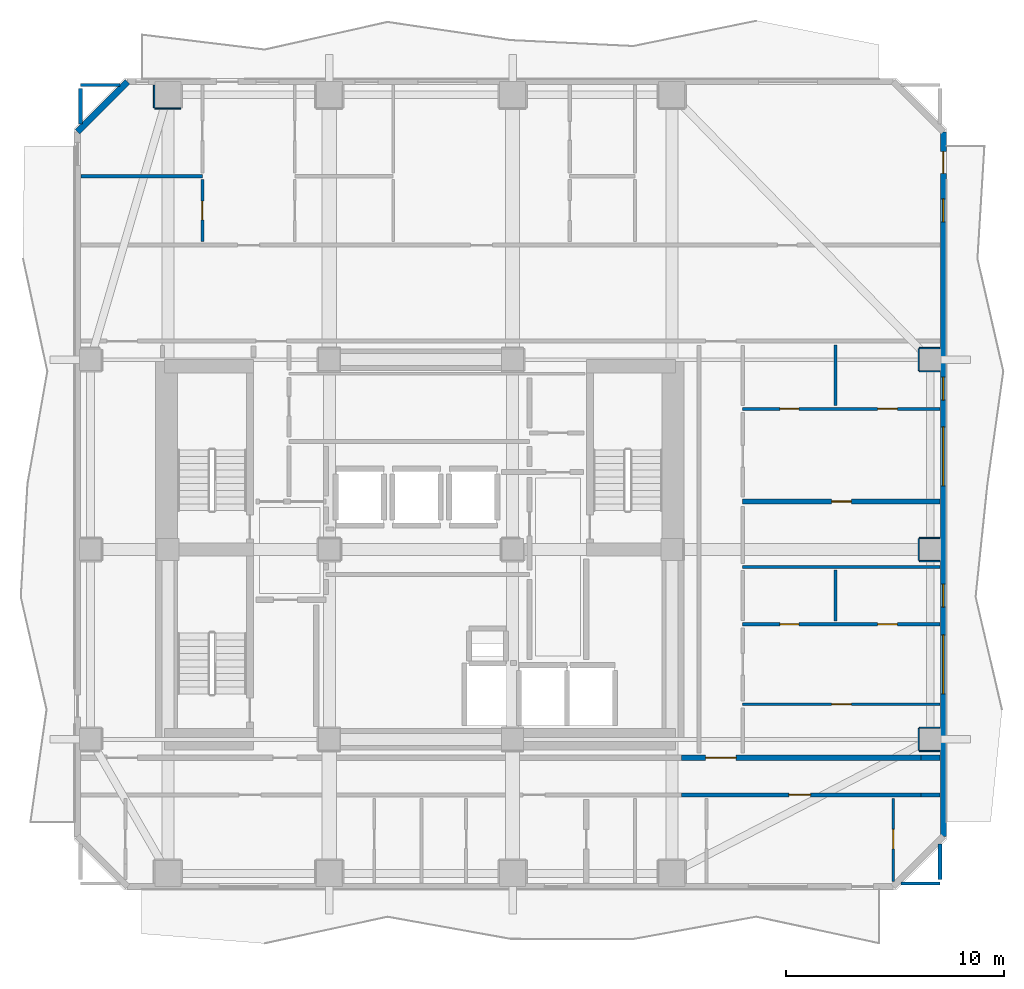
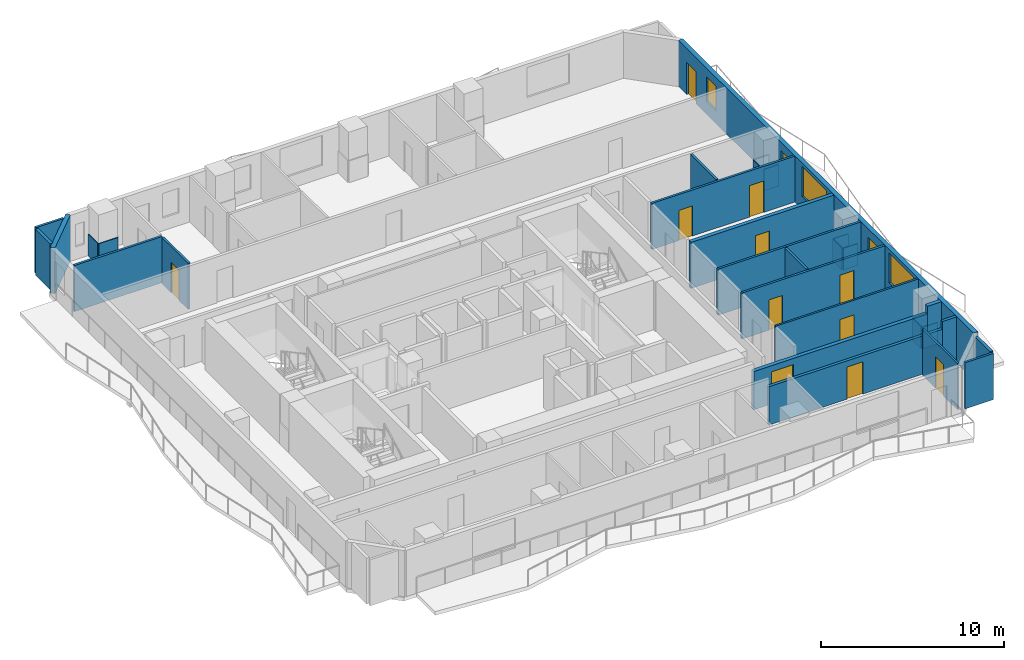
# One storey, part 5 of 11: 31 walls, 11 doors, 5 windows, 16 openings.
"""IFC4 building model written with IfcOpenShell, lengths in metres."""

from ifc_helpers import new_model, si_unit, direction, frame, frame_2d, origin, place, context, subcontext, project, spatial, rectangle, extrude, material, layer, layer_set, type_object, element, fill, save


model = new_model("IFC4")

# Units and contexts
model_context = context("Model", 3, precision=1e-05, world=origin(), true_north=direction((0.0, 1.0)))
body_context = subcontext(model_context, "Body", "Model", "MODEL_VIEW")
ifc_project = project(units=[si_unit("LENGTHUNIT", "METRE"), si_unit("AREAUNIT", "SQUARE_METRE"), si_unit("VOLUMEUNIT", "CUBIC_METRE"), si_unit("PLANEANGLEUNIT", "RADIAN"), si_unit("MASSUNIT", "GRAM", prefix="KILO")], contexts=[model_context])

# Site, building, storey
site_placement = place(None, origin())
site = spatial("IfcSite", under=ifc_project, at=site_placement, CompositionType="ELEMENT")
building_placement = place(site_placement, origin())
building = spatial("IfcBuilding", under=site, at=building_placement, Name="Solanera Arch Residences", CompositionType="ELEMENT")
storey_placement = place(building_placement, frame((0.0, 0.0, 149.239990234375)))
storey = spatial("IfcBuildingStorey", under=building, at=storey_placement, Name="L43", CompositionType="ELEMENT", Elevation=149.239990234375)

# Walls
ifc_material_1 = material(Name="Fire-Rated Gypsum Stud Partition", Category="gypsum")
ifc_layer_1 = layer(ifc_material_1, 0.06005859375)
ifc_layer_set_1 = layer_set([ifc_layer_1], Name="Fire-Rated Gypsum Stud Partition")
wall_type_1 = type_object("IfcWallType", Name="Column Acoustic Furring Wall 60", PredefinedType="PARTITIONING", material=ifc_layer_set_1)
wall_1_placement = place(storey_placement, frame((12.800048828125, 50.91796875, 0.0), z_axis=(0.0, 0.0, 1.0), x_axis=(1.0, 0.0, 0.0)))
element("IfcWall", 1, at=wall_1_placement, inside=storey, type_object=wall_type_1, Name="L43 Column Furring 10S", PredefinedType="PARTITIONING", context=body_context, shape_type="SweptSolid", body=[
    extrude(rectangle(XDim=1.199951171875, YDim=0.06005859375, at=frame_2d((0.60009765625, 0.0))), origin(), (0.0, 0.0, 1.0), 1.449951171875),
])
wall_2_placement = place(storey_placement, frame((12.76806640625, 50.949951171875, 0.0), z_axis=(0.0, 0.0, 1.0), x_axis=(0.0, 1.0, 0.0)))
element("IfcWall", 2, at=wall_2_placement, inside=storey, type_object=wall_type_1, Name="L43 Column Furring 10W", PredefinedType="PARTITIONING", context=body_context, shape_type="SweptSolid", body=[
    extrude(rectangle(XDim=1.0400390625, YDim=0.06005859375, at=frame_2d((0.52001953125, 0.0))), origin(), (0.0, 0.0, 1.0), 1.449951171875),
])
for number, where, z_axis, x_axis, name in (
    (3, (47.85009765625, 21.468017578125, 0.0), (0.0, 0.0, 1.0), (1.0, 0.0, 0.0), "L43 Column Furring 18S"),
    (4, (47.85009765625, 22.531982421875, 0.0), (0.0, 0.0, 1.0), (1.0, 0.0, 0.0), "L43 Column Furring 18N"),
):
    element("IfcWall", number, at=place(storey_placement, frame(where, z_axis=z_axis, x_axis=x_axis)), inside=storey, type_object=wall_type_1, Name=name, PredefinedType="PARTITIONING", context=body_context, shape_type="SweptSolid", body=[
        extrude(rectangle(XDim=0.93994140625, YDim=0.06005859375, at=frame_2d((0.469970703125, 0.0))), origin(), (0.0, 0.0, 1.0), 1.449951171875),
    ])
wall_3_placement = place(storey_placement, frame((47.818115234375, 21.5, 0.0), z_axis=(0.0, 0.0, 1.0), x_axis=(0.0, 1.0, 0.0)))
element("IfcWall", 5, at=wall_3_placement, inside=storey, type_object=wall_type_1, Name="L43 Column Furring 18W", PredefinedType="PARTITIONING", context=body_context, shape_type="SweptSolid", body=[
    extrude(rectangle(XDim=1.0, YDim=0.06005859375, at=frame_2d((0.5, 0.0))), origin(), (0.0, 0.0, 1.0), 1.449951171875),
])
for number, where, z_axis, x_axis, name in (
    (6, (47.85009765625, 30.16796875, 0.0), (0.0, 0.0, 1.0), (1.0, 0.0, 0.0), "L43 Column Furring 20S"),
    (7, (47.85009765625, 31.23193359375, 0.0), (0.0, 0.0, 1.0), (1.0, 0.0, 0.0), "L43 Column Furring 20N"),
):
    element("IfcWall", number, at=place(storey_placement, frame(where, z_axis=z_axis, x_axis=x_axis)), inside=storey, type_object=wall_type_1, Name=name, PredefinedType="PARTITIONING", context=body_context, shape_type="SweptSolid", body=[
        extrude(rectangle(XDim=0.93994140625, YDim=0.06005859375, at=frame_2d((0.469970703125, 0.0))), origin(), (0.0, 0.0, 1.0), 1.449951171875),
    ])
wall_4_placement = place(storey_placement, frame((47.818115234375, 30.199951171875, 0.0), z_axis=(0.0, 0.0, 1.0), x_axis=(0.0, 1.0, 0.0)))
element("IfcWall", 8, at=wall_4_placement, inside=storey, type_object=wall_type_1, Name="L43 Column Furring 20W", PredefinedType="PARTITIONING", context=body_context, shape_type="SweptSolid", body=[
    extrude(rectangle(XDim=1.0, YDim=0.06005859375, at=frame_2d((0.5, 0.0))), origin(), (0.0, 0.0, 1.0), 1.449951171875),
])
for number, where, z_axis, x_axis, name in (
    (9, (47.85009765625, 38.867919921875, 0.0), (0.0, 0.0, 1.0), (1.0, 0.0, 0.0), "L43 Column Furring 22S"),
    (10, (47.85009765625, 39.931884765625, 0.0), (0.0, 0.0, 1.0), (1.0, 0.0, 0.0), "L43 Column Furring 22N"),
):
    element("IfcWall", number, at=place(storey_placement, frame(where, z_axis=z_axis, x_axis=x_axis)), inside=storey, type_object=wall_type_1, Name=name, PredefinedType="PARTITIONING", context=body_context, shape_type="SweptSolid", body=[
        extrude(rectangle(XDim=0.93994140625, YDim=0.06005859375, at=frame_2d((0.469970703125, 0.0))), origin(), (0.0, 0.0, 1.0), 1.449951171875),
    ])
wall_5_placement = place(storey_placement, frame((47.818115234375, 38.89990234375, 0.0), z_axis=(0.0, 0.0, 1.0), x_axis=(0.0, 1.0, 0.0)))
element("IfcWall", 11, at=wall_5_placement, inside=storey, type_object=wall_type_1, Name="L43 Column Furring 22W", PredefinedType="PARTITIONING", context=body_context, shape_type="SweptSolid", body=[
    extrude(rectangle(XDim=1.0, YDim=0.06005859375, at=frame_2d((0.5, 0.0))), origin(), (0.0, 0.0, 1.0), 1.449951171875),
])

# Wall, opening, door
ifc_material_2 = material(Name="Autoclaved Aerated Concrete Blockwork", Category="masonry")
ifc_layer_2 = layer(ifc_material_2, 0.179931640625)
ifc_layer_set_2 = layer_set([ifc_layer_2], Name="Autoclaved Aerated Concrete Blockwork")
wall_type_2 = type_object("IfcWallType", Name="Corridor Fire Partition 180", PredefinedType="PARTITIONING", material=ifc_layer_set_2)
wall_6_placement = place(storey_placement, frame((36.93896484375, 19.449951171875, 0.0), z_axis=(0.0, 0.0, 1.0), x_axis=(1.0, 0.0, 0.0)))
wall_6 = element("IfcWall", 12, at=wall_6_placement, inside=storey, type_object=wall_type_2, Name="L43 Interior Partition H8 2", PredefinedType="PARTITIONING", context=body_context, shape_type="SweptSolid", body=[
    extrude(rectangle(XDim=10.971923828125, YDim=0.179931640625, at=frame_2d((5.48583984375, 0.0))), origin(), (0.0, 0.0, 1.0), 2.56494140625),
])
opening_1_placement = place(wall_6_placement, frame((4.926025390625, 0.0, 0.0)))
opening_1 = element("IfcOpeningElement", 13, at=opening_1_placement, cuts=wall_6, Name="Opening DI-01", PredefinedType="OPENING", context=body_context, shape_type="SweptSolid", body=[
    extrude(rectangle(XDim=1.0, YDim=2.14990234375, at=frame_2d((0.5, 1.074951171875))), frame((0.0, 0.10009765625, 0.0), z_axis=(0.0, -1.0, 0.0), x_axis=(1.0, 0.0, 0.0)), (0.0, 0.0, 1.0), 0.1999),
])
ifc_material_3 = material(Name="Fire-Rated Architectural Hardwood", Category="wood")
door_type_1 = type_object("IfcDoorType", Name="Unit Entrance Fire Door DI-01", OperationType="NOTDEFINED", PredefinedType="DOOR", material=ifc_material_3)
door_1_placement = place(opening_1_placement, origin())
door_1 = element("IfcDoor", 14, at=door_1_placement, inside=storey, type_object=door_type_1, Name="DR-L43-IN-023", OperationType="SINGLE_SWING_RIGHT", OverallHeight=2.14990234375, OverallWidth=1.0, PredefinedType="DOOR", context=body_context, shape_type="SweptSolid", body=[
    extrude(rectangle(XDim=1.0, YDim=2.14990234375, at=frame_2d((0.5, 1.074951171875))), frame((0.0, 0.02490234375, 0.0), z_axis=(0.0, -1.0, 0.0), x_axis=(1.0, 0.0, 0.0)), (0.0, 0.0, 1.0), 0.050048828125),
])
fill(opening_1, door_1)

# Walls
wall_7_placement = place(storey_placement, frame((47.910888671875, 19.449951171875, 0.0), z_axis=(0.0, 0.0, 1.0), x_axis=(1.0, 0.0, 0.0)))
element("IfcWall", 15, at=wall_7_placement, inside=storey, type_object=wall_type_2, Name="L43 Interior Partition H8 3", PredefinedType="PARTITIONING", context=body_context, shape_type="SweptSolid", body=[
    extrude(rectangle(XDim=0.882080078125, YDim=0.179931640625, at=frame_2d((0.44091796875, 0.0))), origin(), (0.0, 0.0, 1.0), 3.080078125),
])
for number, where, z_axis, x_axis, name in (
    (16, (9.39990234375, 50.205078125, 0.0), (0.0, 0.0, 1.0), (0.0, 1.0, 0.0), "L43 Interior Partition V8 2"),
    (17, (48.800048828125, 15.568115234375, 0.0), (0.0, 0.0, 1.0), (0.0, 1.0, 0.0), "L43 Interior Partition V13 1"),
):
    element("IfcWall", number, at=place(storey_placement, frame(where, z_axis=z_axis, x_axis=x_axis)), inside=storey, type_object=wall_type_2, Name=name, PredefinedType="PARTITIONING", context=body_context, shape_type="SweptSolid", body=[
        extrude(rectangle(XDim=1.626953125, YDim=0.179931640625, at=frame_2d((0.8134765625, 0.0))), origin(), (0.0, 0.0, 1.0), 3.080078125),
    ])
ifc_material_4 = material(Name="Precast Concrete C35/45", Category="concrete")
ifc_layer_3 = layer(ifc_material_4, 0.280029296875)
ifc_layer_set_3 = layer_set([ifc_layer_3], Name="Precast Concrete C35/45")
wall_type_3 = type_object("IfcWallType", Name="Exterior Wall Precast Masonry-Frame 280", PredefinedType="STANDARD", material=ifc_layer_set_3)
wall_8_placement = place(storey_placement, frame((9.2548828125, 49.844970703125, 0.0), z_axis=(0.0, 0.0, 1.0), x_axis=(0.707106781187, 0.707106781187, 0.0)))
element("IfcWall", 18, at=wall_8_placement, inside=storey, type_object=wall_type_3, Name="L43 Tower Exterior Precast Masonry-Frame Wall CH1", PredefinedType="STANDARD", context=body_context, shape_type="SweptSolid", body=[
    extrude(rectangle(XDim=3.252685546875, YDim=0.280029296875, at=frame_2d((1.62646484375, 0.0))), origin(), (0.0, 0.0, 1.0), 3.080078125),
])

# Wall, openings, door, windows
wall_9_placement = place(storey_placement, frame((48.945068359375, 49.844970703125, 0.0), z_axis=(0.0, 0.0, 1.0), x_axis=(0.0, -1.0, 0.0)))
wall_9 = element("IfcWall", 19, at=wall_9_placement, inside=storey, type_object=wall_type_3, Name="L43 Tower Exterior Precast Masonry-Frame Wall E", PredefinedType="STANDARD", context=body_context, shape_type="SweptSolid", body=[
    extrude(rectangle(XDim=32.2900390625, YDim=0.280029296875, at=frame_2d((16.14501953125, 0.0))), origin(), (0.0, 0.0, 1.0), 3.080078125),
])
opening_2_placement = place(wall_9_placement, frame((0.904052734375, 0.0, 0.0)))
opening_2 = element("IfcOpeningElement", 20, at=opening_2_placement, cuts=wall_9, Name="Opening DB-01", PredefinedType="OPENING", context=body_context, shape_type="SweptSolid", body=[
    extrude(rectangle(XDim=1.0, YDim=2.14990234375, at=frame_2d((0.5, 1.074951171875))), frame((0.0, 0.14990234375, 0.0), z_axis=(0.0, -1.0, 0.0), x_axis=(1.0, 0.0, 0.0)), (0.0, 0.0, 1.0), 0.3),
])
opening_3_placement = place(wall_9_placement, frame((3.073974609375, 0.0, 0.85009765625)))
opening_3 = element("IfcOpeningElement", 21, at=opening_3_placement, cuts=wall_9, Name="Opening W-07", PredefinedType="OPENING", context=body_context, shape_type="SweptSolid", body=[
    extrude(rectangle(XDim=1.050048828125, YDim=1.64990234375, at=frame_2d((0.52490234375, 0.824951171875))), frame((0.0, 0.14990234375, 0.0), z_axis=(0.0, -1.0, 0.0), x_axis=(1.0, 0.0, 0.0)), (0.0, 0.0, 1.0), 0.3),
])
opening_4_placement = place(wall_9_placement, frame((23.056884765625, 0.0, 0.85009765625)))
opening_4 = element("IfcOpeningElement", 22, at=opening_4_placement, cuts=wall_9, Name="Opening W-09", PredefinedType="OPENING", context=body_context, shape_type="SweptSolid", body=[
    extrude(rectangle(XDim=2.699951171875, YDim=2.0, at=frame_2d((1.35009765625, 1.0))), frame((0.0, 0.14990234375, 0.0), z_axis=(0.0, -1.0, 0.0), x_axis=(1.0, 0.0, 0.0)), (0.0, 0.0, 1.0), 0.3),
])
opening_5_placement = place(wall_9_placement, frame((20.73291015625, 0.0, 0.85009765625)))
opening_5 = element("IfcOpeningElement", 23, at=opening_5_placement, cuts=wall_9, Name="Opening W-07", PredefinedType="OPENING", context=body_context, shape_type="SweptSolid", body=[
    extrude(rectangle(XDim=1.050048828125, YDim=1.64990234375, at=frame_2d((0.52490234375, 0.824951171875))), frame((0.0, 0.14990234375, 0.0), z_axis=(0.0, -1.0, 0.0), x_axis=(1.0, 0.0, 0.0)), (0.0, 0.0, 1.0), 0.3),
])
opening_6_placement = place(wall_9_placement, frame((13.52294921875, 0.0, 0.85009765625)))
opening_6 = element("IfcOpeningElement", 24, at=opening_6_placement, cuts=wall_9, Name="Opening W-09", PredefinedType="OPENING", context=body_context, shape_type="SweptSolid", body=[
    extrude(rectangle(XDim=2.699951171875, YDim=2.0, at=frame_2d((1.35009765625, 1.0))), frame((0.0, 0.14990234375, 0.0), z_axis=(0.0, -1.0, 0.0), x_axis=(1.0, 0.0, 0.0)), (0.0, 0.0, 1.0), 0.3),
])
opening_7_placement = place(wall_9_placement, frame((11.2470703125, 0.0, 0.85009765625)))
opening_7 = element("IfcOpeningElement", 25, at=opening_7_placement, cuts=wall_9, Name="Opening W-07", PredefinedType="OPENING", context=body_context, shape_type="SweptSolid", body=[
    extrude(rectangle(XDim=1.050048828125, YDim=1.64990234375, at=frame_2d((0.52490234375, 0.824951171875))), frame((0.0, 0.14990234375, 0.0), z_axis=(0.0, -1.0, 0.0), x_axis=(1.0, 0.0, 0.0)), (0.0, 0.0, 1.0), 0.3),
])
ifc_material_5 = material(Name="Anodised Aluminium Alloy 6063-T6", Category="aluminium")
door_type_2 = type_object("IfcDoorType", Name="Glazed Balcony Swing Door DB-01", OperationType="NOTDEFINED", PredefinedType="DOOR", material=ifc_material_5)
door_2_placement = place(opening_2_placement, origin())
door_2 = element("IfcDoor", 26, at=door_2_placement, inside=storey, type_object=door_type_2, Name="DR-L43-OUT-03", OperationType="SINGLE_SWING_LEFT", OverallHeight=2.14990234375, OverallWidth=1.0, PredefinedType="DOOR", context=body_context, shape_type="SweptSolid", body=[
    extrude(rectangle(XDim=1.0, YDim=2.14990234375, at=frame_2d((0.5, 1.074951171875))), frame((0.0, 0.02490234375, 0.0), z_axis=(0.0, -1.0, 0.0), x_axis=(1.0, 0.0, 0.0)), (0.0, 0.0, 1.0), 0.050048828125),
])
fill(opening_2, door_2)
ifc_material_6 = material(Name="Double Glazed Low-E Laminated Glass", Category="glass")
window_type_1 = type_object("IfcWindowType", Name="Punched Window W-07", PartitioningType="SINGLE_PANEL", PredefinedType="WINDOW", material=ifc_material_6)
window_1_placement = place(opening_3_placement, origin())
window_1 = element("IfcWindow", 27, at=window_1_placement, inside=storey, type_object=window_type_1, Name="L43 AMN-OFF Punched Window", OverallHeight=1.64990234375, OverallWidth=1.050048828125, PartitioningType="SINGLE_PANEL", PredefinedType="WINDOW", context=body_context, shape_type="SweptSolid", body=[
    extrude(rectangle(XDim=1.050048828125, YDim=1.64990234375, at=frame_2d((0.52490234375, 0.824951171875))), frame((0.0, 0.030029296875, 0.0), z_axis=(0.0, -1.0, 0.0), x_axis=(1.0, 0.0, 0.0)), (0.0, 0.0, 1.0), 0.06005859375),
])
fill(opening_3, window_1)
window_2_placement = place(opening_5_placement, origin())
window_2 = element("IfcWindow", 28, at=window_2_placement, inside=storey, type_object=window_type_1, Name="L43 4306-BR1 Punched Window", OverallHeight=1.64990234375, OverallWidth=1.050048828125, PartitioningType="SINGLE_PANEL", PredefinedType="WINDOW", context=body_context, shape_type="SweptSolid", body=[
    extrude(rectangle(XDim=1.050048828125, YDim=1.64990234375, at=frame_2d((0.52490234375, 0.824951171875))), frame((0.0, 0.030029296875, 0.0), z_axis=(0.0, -1.0, 0.0), x_axis=(1.0, 0.0, 0.0)), (0.0, 0.0, 1.0), 0.06005859375),
])
fill(opening_5, window_2)
window_3_placement = place(opening_7_placement, origin())
window_3 = element("IfcWindow", 29, at=window_3_placement, inside=storey, type_object=window_type_1, Name="L43 4307-BR1 Punched Window", OverallHeight=1.64990234375, OverallWidth=1.050048828125, PartitioningType="SINGLE_PANEL", PredefinedType="WINDOW", context=body_context, shape_type="SweptSolid", body=[
    extrude(rectangle(XDim=1.050048828125, YDim=1.64990234375, at=frame_2d((0.52490234375, 0.824951171875))), frame((0.0, 0.030029296875, 0.0), z_axis=(0.0, -1.0, 0.0), x_axis=(1.0, 0.0, 0.0)), (0.0, 0.0, 1.0), 0.06005859375),
])
fill(opening_7, window_3)
ifc_material_7 = material(Name="Double Glazed Low-E Laminated Glass", Category="glass")
window_type_2 = type_object("IfcWindowType", Name="Punched Window W-09", PartitioningType="TRIPLE_PANEL_VERTICAL", PredefinedType="WINDOW", material=ifc_material_7)
window_4_placement = place(opening_4_placement, origin())
window_4 = element("IfcWindow", 30, at=window_4_placement, inside=storey, type_object=window_type_2, Name="L43 4306-LIV Punched Window", OverallHeight=2.0, OverallWidth=2.699951171875, PartitioningType="SINGLE_PANEL", PredefinedType="WINDOW", context=body_context, shape_type="SweptSolid", body=[
    extrude(rectangle(XDim=2.699951171875, YDim=2.0, at=frame_2d((1.35009765625, 1.0))), frame((0.0, 0.030029296875, 0.0), z_axis=(0.0, -1.0, 0.0), x_axis=(1.0, 0.0, 0.0)), (0.0, 0.0, 1.0), 0.06005859375),
])
fill(opening_4, window_4)
window_5_placement = place(opening_6_placement, origin())
window_5 = element("IfcWindow", 31, at=window_5_placement, inside=storey, type_object=window_type_2, Name="L43 4307-LIV Punched Window", OverallHeight=2.0, OverallWidth=2.699951171875, PartitioningType="SINGLE_PANEL", PredefinedType="WINDOW", context=body_context, shape_type="SweptSolid", body=[
    extrude(rectangle(XDim=2.699951171875, YDim=2.0, at=frame_2d((1.35009765625, 1.0))), frame((0.0, 0.030029296875, 0.0), z_axis=(0.0, -1.0, 0.0), x_axis=(1.0, 0.0, 0.0)), (0.0, 0.0, 1.0), 0.06005859375),
])
fill(opening_6, window_5)

# Wall, opening, door
ifc_material_8 = material(Name="Autoclaved Aerated Concrete Blockwork", Category="masonry")
ifc_layer_4 = layer(ifc_material_8, 0.239990234375)
ifc_layer_set_4 = layer_set([ifc_layer_4], Name="Autoclaved Aerated Concrete Blockwork")
wall_type_4 = type_object("IfcWallType", Name="Shaft Wall Fire-Rated 240", PredefinedType="PARTITIONING", material=ifc_layer_set_4)
wall_10_placement = place(storey_placement, frame((36.93896484375, 21.14990234375, 0.0), z_axis=(0.0, 0.0, 1.0), x_axis=(1.0, 0.0, 0.0)))
wall_10 = element("IfcWall", 32, at=wall_10_placement, inside=storey, type_object=wall_type_4, Name="L43 Interior Partition H1 2", PredefinedType="PARTITIONING", context=body_context, shape_type="SweptSolid", body=[
    extrude(rectangle(XDim=10.971923828125, YDim=0.239990234375, at=frame_2d((5.48583984375, 0.0))), origin(), (0.0, 0.0, 1.0), 2.56494140625),
])
opening_8_placement = place(wall_10_placement, frame((1.111083984375, 0.0, 0.0)))
opening_8 = element("IfcOpeningElement", 33, at=opening_8_placement, cuts=wall_10, Name="Opening DF-03", PredefinedType="OPENING", context=body_context, shape_type="SweptSolid", body=[
    extrude(rectangle(XDim=1.39990234375, YDim=2.14990234375, at=frame_2d((0.699951171875, 1.074951171875))), frame((0.0, 0.1298828125, 0.0), z_axis=(0.0, -1.0, 0.0), x_axis=(1.0, 0.0, 0.0)), (0.0, 0.0, 1.0), 0.26),
])
ifc_material_9 = material(Name="Fire-Rated Architectural Hardwood", Category="wood")
door_type_3 = type_object("IfcDoorType", Name="Corridor Smoke Door DF-03", OperationType="NOTDEFINED", PredefinedType="DOOR", material=ifc_material_9)
door_3_placement = place(opening_8_placement, origin())
door_3 = element("IfcDoor", 34, at=door_3_placement, inside=storey, type_object=door_type_3, Name="DR-L43-IN-011", OperationType="SINGLE_SWING_RIGHT", OverallHeight=2.14990234375, OverallWidth=1.39990234375, PredefinedType="DOOR", context=body_context, shape_type="SweptSolid", body=[
    extrude(rectangle(XDim=1.39990234375, YDim=2.14990234375, at=frame_2d((0.699951171875, 1.074951171875))), frame((0.0, 0.02490234375, 0.0), z_axis=(0.0, -1.0, 0.0), x_axis=(1.0, 0.0, 0.0)), (0.0, 0.0, 1.0), 0.050048828125),
])
fill(opening_8, door_3)

# Wall
wall_11_placement = place(storey_placement, frame((47.910888671875, 21.14990234375, 0.0), z_axis=(0.0, 0.0, 1.0), x_axis=(1.0, 0.0, 0.0)))
element("IfcWall", 35, at=wall_11_placement, inside=storey, type_object=wall_type_4, Name="L43 Interior Partition H1 3", PredefinedType="PARTITIONING", context=body_context, shape_type="SweptSolid", body=[
    extrude(rectangle(XDim=0.882080078125, YDim=0.239990234375, at=frame_2d((0.44091796875, 0.0))), origin(), (0.0, 0.0, 1.0), 3.080078125),
])

# Wall, opening, door
wall_12_placement = place(storey_placement, frame((39.75, 32.89990234375, 0.0), z_axis=(0.0, 0.0, 1.0), x_axis=(1.0, 0.0, 0.0)))
wall_12 = element("IfcWall", 36, at=wall_12_placement, inside=storey, type_object=wall_type_4, Name="L43 Interior Partition H5", PredefinedType="PARTITIONING", context=body_context, shape_type="SweptSolid", body=[
    extrude(rectangle(XDim=9.04296875, YDim=0.239990234375, at=frame_2d((4.521484375, 0.0))), origin(), (0.0, 0.0, 1.0), 3.080078125),
])
opening_9_placement = place(wall_12_placement, frame((4.074951171875, 0.0, 0.0)))
opening_9 = element("IfcOpeningElement", 37, at=opening_9_placement, cuts=wall_12, Name="Opening DI-02", PredefinedType="OPENING", context=body_context, shape_type="SweptSolid", body=[
    extrude(rectangle(XDim=0.89990234375, YDim=2.10009765625, at=frame_2d((0.449951171875, 1.050048828125))), frame((0.0, 0.1298828125, 0.0), z_axis=(0.0, -1.0, 0.0), x_axis=(1.0, 0.0, 0.0)), (0.0, 0.0, 1.0), 0.26),
])
ifc_material_10 = material(Name="Fire-Rated Architectural Hardwood", Category="wood")
door_type_4 = type_object("IfcDoorType", Name="Suite Room Swing Door DI-02", OperationType="NOTDEFINED", PredefinedType="DOOR", material=ifc_material_10)
door_4_placement = place(opening_9_placement, origin())
door_4 = element("IfcDoor", 38, at=door_4_placement, inside=storey, type_object=door_type_4, Name="DR-L43-IN-040", OperationType="SINGLE_SWING_LEFT", OverallHeight=2.10009765625, OverallWidth=0.89990234375, PredefinedType="DOOR", context=body_context, shape_type="SweptSolid", body=[
    extrude(rectangle(XDim=0.89990234375, YDim=2.10009765625, at=frame_2d((0.449951171875, 1.050048828125))), frame((0.0, 0.02490234375, 0.0), z_axis=(0.0, -1.0, 0.0), x_axis=(1.0, 0.0, 0.0)), (0.0, 0.0, 1.0), 0.050048828125),
])
fill(opening_9, door_4)

ifc_material_11 = material(Name="Fire-Rated Gypsum Stud Partition", Category="gypsum")
ifc_layer_5 = layer(ifc_material_11, 0.1201171875)
ifc_layer_set_5 = layer_set([ifc_layer_5], Name="Fire-Rated Gypsum Stud Partition")
wall_type_5 = type_object("IfcWallType", Name="Unit Drywall Partition 120", PredefinedType="PARTITIONING", material=ifc_layer_set_5)
wall_13_placement = place(storey_placement, frame((39.75, 23.60009765625, 0.0), z_axis=(0.0, 0.0, 1.0), x_axis=(1.0, 0.0, 0.0)))
wall_13 = element("IfcWall", 39, at=wall_13_placement, inside=storey, type_object=wall_type_5, Name="L43 Interior Partition H22", PredefinedType="PARTITIONING", context=body_context, shape_type="SweptSolid", body=[
    extrude(rectangle(XDim=9.04296875, YDim=0.1201171875, at=frame_2d((4.521484375, 0.0))), origin(), (0.0, 0.0, 1.0), 3.080078125),
])
opening_10_placement = place(wall_13_placement, frame((4.074951171875, 0.0, 0.0)))
opening_10 = element("IfcOpeningElement", 40, at=opening_10_placement, cuts=wall_13, Name="Opening DI-02", PredefinedType="OPENING", context=body_context, shape_type="SweptSolid", body=[
    extrude(rectangle(XDim=0.89990234375, YDim=2.10009765625, at=frame_2d((0.449951171875, 1.050048828125))), frame((0.0, 0.070068359375, 0.0), z_axis=(0.0, -1.0, 0.0), x_axis=(1.0, 0.0, 0.0)), (0.0, 0.0, 1.0), 0.1401),
])
door_5_placement = place(opening_10_placement, origin())
door_5 = element("IfcDoor", 41, at=door_5_placement, inside=storey, type_object=door_type_4, Name="DR-L43-IN-036", OperationType="SINGLE_SWING_LEFT", OverallHeight=2.10009765625, OverallWidth=0.89990234375, PredefinedType="DOOR", context=body_context, shape_type="SweptSolid", body=[
    extrude(rectangle(XDim=0.89990234375, YDim=2.10009765625, at=frame_2d((0.449951171875, 1.050048828125))), frame((0.0, 0.02490234375, 0.0), z_axis=(0.0, -1.0, 0.0), x_axis=(1.0, 0.0, 0.0)), (0.0, 0.0, 1.0), 0.050048828125),
])
fill(opening_10, door_5)

wall_14_placement = place(storey_placement, frame((46.64990234375, 15.47509765625, 0.0), z_axis=(0.0, 0.0, 1.0), x_axis=(0.0, 1.0, 0.0)))
wall_14 = element("IfcWall", 42, at=wall_14_placement, inside=storey, type_object=wall_type_5, Name="L43 Interior Partition V27", PredefinedType="PARTITIONING", context=body_context, shape_type="SweptSolid", body=[
    extrude(rectangle(XDim=3.81689453125, YDim=0.1201171875, at=frame_2d((1.908447265625, 0.0))), origin(), (0.0, 0.0, 1.0), 3.080078125),
])
opening_11_placement = place(wall_14_placement, frame((1.5, 0.0, 0.0)))
opening_11 = element("IfcOpeningElement", 43, at=opening_11_placement, cuts=wall_14, Name="Opening DI-02", PredefinedType="OPENING", context=body_context, shape_type="SweptSolid", body=[
    extrude(rectangle(XDim=0.89990234375, YDim=2.10009765625, at=frame_2d((0.449951171875, 1.050048828125))), frame((0.0, 0.070068359375, 0.0), z_axis=(0.0, -1.0, 0.0), x_axis=(1.0, 0.0, 0.0)), (0.0, 0.0, 1.0), 0.1401),
])
door_6_placement = place(opening_11_placement, origin())
door_6 = element("IfcDoor", 44, at=door_6_placement, inside=storey, type_object=door_type_4, Name="DR-L43-IN-025", OperationType="SINGLE_SWING_RIGHT", OverallHeight=2.10009765625, OverallWidth=0.89990234375, PredefinedType="DOOR", context=body_context, shape_type="SweptSolid", body=[
    extrude(rectangle(XDim=0.89990234375, YDim=2.10009765625, at=frame_2d((0.449951171875, 1.050048828125))), frame((0.0, 0.02490234375, 0.0), z_axis=(0.0, -1.0, 0.0), x_axis=(1.0, 0.0, 0.0)), (0.0, 0.0, 1.0), 0.050048828125),
])
fill(opening_11, door_6)

# Wall
ifc_material_12 = material(Name="Autoclaved Aerated Concrete Blockwork", Category="masonry")
ifc_layer_6 = layer(ifc_material_12, 0.139892578125)
ifc_layer_set_6 = layer_set([ifc_layer_6], Name="Autoclaved Aerated Concrete Blockwork")
wall_type_6 = type_object("IfcWallType", Name="Wet-Room Partition 140", PredefinedType="PARTITIONING", material=ifc_layer_set_6)
wall_15_placement = place(storey_placement, frame((47.0048828125, 15.39990234375, 0.0), z_axis=(0.0, 0.0, 1.0), x_axis=(1.0, 0.0, 0.0)))
element("IfcWall", 45, at=wall_15_placement, inside=storey, type_object=wall_type_6, Name="L43 Interior Partition H14 2", PredefinedType="PARTITIONING", context=body_context, shape_type="SweptSolid", body=[
    extrude(rectangle(XDim=1.795166015625, YDim=0.139892578125, at=frame_2d((0.8974609375, 0.0))), origin(), (0.0, 0.0, 1.0), 3.080078125),
])

# Wall, openings, doors
wall_16_placement = place(storey_placement, frame((39.75, 27.27490234375, 0.0), z_axis=(0.0, 0.0, 1.0), x_axis=(1.0, 0.0, 0.0)))
wall_16 = element("IfcWall", 46, at=wall_16_placement, inside=storey, type_object=wall_type_6, Name="L43 Interior Partition H15", PredefinedType="PARTITIONING", context=body_context, shape_type="SweptSolid", body=[
    extrude(rectangle(XDim=9.04296875, YDim=0.139892578125, at=frame_2d((4.521484375, 0.0))), origin(), (0.0, 0.0, 1.0), 3.080078125),
])
opening_12_placement = place(wall_16_placement, frame((1.7080078125, 0.0, 0.0)))
opening_12 = element("IfcOpeningElement", 47, at=opening_12_placement, cuts=wall_16, Name="Opening DI-05", PredefinedType="OPENING", context=body_context, shape_type="SweptSolid", body=[
    extrude(rectangle(XDim=0.860107421875, YDim=2.02001953125, at=frame_2d((0.43017578125, 1.010009765625))), frame((0.0, 0.079833984375, 0.0), z_axis=(0.0, -1.0, 0.0), x_axis=(1.0, 0.0, 0.0)), (0.0, 0.0, 1.0), 0.1599),
])
opening_13_placement = place(wall_16_placement, frame((6.18701171875, 0.0, 0.0)))
opening_13 = element("IfcOpeningElement", 48, at=opening_13_placement, cuts=wall_16, Name="Opening DI-03", PredefinedType="OPENING", context=body_context, shape_type="SweptSolid", body=[
    extrude(rectangle(XDim=0.89990234375, YDim=2.10009765625, at=frame_2d((0.449951171875, 1.050048828125))), frame((0.0, 0.079833984375, 0.0), z_axis=(0.0, -1.0, 0.0), x_axis=(1.0, 0.0, 0.0)), (0.0, 0.0, 1.0), 0.1599),
])
ifc_material_13 = material(Name="Fire-Rated Architectural Hardwood", Category="wood")
door_type_5 = type_object("IfcDoorType", Name="Bathroom Swing Door DI-05", OperationType="NOTDEFINED", PredefinedType="DOOR", material=ifc_material_13)
door_7_placement = place(opening_12_placement, origin())
door_7 = element("IfcDoor", 49, at=door_7_placement, inside=storey, type_object=door_type_5, Name="DR-L43-IN-037", OperationType="SINGLE_SWING_RIGHT", OverallHeight=2.02001953125, OverallWidth=0.860107421875, PredefinedType="DOOR", context=body_context, shape_type="SweptSolid", body=[
    extrude(rectangle(XDim=0.860107421875, YDim=2.02001953125, at=frame_2d((0.43017578125, 1.010009765625))), frame((0.0, 0.02490234375, 0.0), z_axis=(0.0, -1.0, 0.0), x_axis=(1.0, 0.0, 0.0)), (0.0, 0.0, 1.0), 0.050048828125),
])
fill(opening_12, door_7)
ifc_material_14 = material(Name="Fire-Rated Architectural Hardwood", Category="wood")
door_type_6 = type_object("IfcDoorType", Name="Bedroom Swing Door DI-03", OperationType="NOTDEFINED", PredefinedType="DOOR", material=ifc_material_14)
door_8_placement = place(opening_13_placement, origin())
door_8 = element("IfcDoor", 50, at=door_8_placement, inside=storey, type_object=door_type_6, Name="DR-L43-IN-038", OperationType="SINGLE_SWING_LEFT", OverallHeight=2.10009765625, OverallWidth=0.89990234375, PredefinedType="DOOR", context=body_context, shape_type="SweptSolid", body=[
    extrude(rectangle(XDim=0.89990234375, YDim=2.10009765625, at=frame_2d((0.449951171875, 1.050048828125))), frame((0.0, 0.02490234375, 0.0), z_axis=(0.0, -1.0, 0.0), x_axis=(1.0, 0.0, 0.0)), (0.0, 0.0, 1.0), 0.050048828125),
])
fill(opening_13, door_8)

# Wall
wall_17_placement = place(storey_placement, frame((39.75, 29.89990234375, 0.0), z_axis=(0.0, 0.0, 1.0), x_axis=(1.0, 0.0, 0.0)))
element("IfcWall", 51, at=wall_17_placement, inside=storey, type_object=wall_type_6, Name="L43 Interior Partition H16", PredefinedType="PARTITIONING", context=body_context, shape_type="SweptSolid", body=[
    extrude(rectangle(XDim=9.04296875, YDim=0.139892578125, at=frame_2d((4.521484375, 0.0))), origin(), (0.0, 0.0, 1.0), 3.080078125),
])

# Wall, openings, doors
wall_18_placement = place(storey_placement, frame((39.75, 37.14501953125, 0.0), z_axis=(0.0, 0.0, 1.0), x_axis=(1.0, 0.0, 0.0)))
wall_18 = element("IfcWall", 52, at=wall_18_placement, inside=storey, type_object=wall_type_6, Name="L43 Interior Partition H17", PredefinedType="PARTITIONING", context=body_context, shape_type="SweptSolid", body=[
    extrude(rectangle(XDim=9.04296875, YDim=0.139892578125, at=frame_2d((4.521484375, 0.0))), origin(), (0.0, 0.0, 1.0), 3.080078125),
])
opening_14_placement = place(wall_18_placement, frame((1.7080078125, 0.0, 0.0)))
opening_14 = element("IfcOpeningElement", 53, at=opening_14_placement, cuts=wall_18, Name="Opening DI-05", PredefinedType="OPENING", context=body_context, shape_type="SweptSolid", body=[
    extrude(rectangle(XDim=0.860107421875, YDim=2.02001953125, at=frame_2d((0.43017578125, 1.010009765625))), frame((0.0, 0.079833984375, 0.0), z_axis=(0.0, -1.0, 0.0), x_axis=(1.0, 0.0, 0.0)), (0.0, 0.0, 1.0), 0.1599),
])
opening_15_placement = place(wall_18_placement, frame((6.18701171875, 0.0, 0.0)))
opening_15 = element("IfcOpeningElement", 54, at=opening_15_placement, cuts=wall_18, Name="Opening DI-03", PredefinedType="OPENING", context=body_context, shape_type="SweptSolid", body=[
    extrude(rectangle(XDim=0.89990234375, YDim=2.10009765625, at=frame_2d((0.449951171875, 1.050048828125))), frame((0.0, 0.079833984375, 0.0), z_axis=(0.0, -1.0, 0.0), x_axis=(1.0, 0.0, 0.0)), (0.0, 0.0, 1.0), 0.1599),
])
door_9_placement = place(opening_14_placement, origin())
door_9 = element("IfcDoor", 55, at=door_9_placement, inside=storey, type_object=door_type_5, Name="DR-L43-IN-041", OperationType="SINGLE_SWING_RIGHT", OverallHeight=2.02001953125, OverallWidth=0.860107421875, PredefinedType="DOOR", context=body_context, shape_type="SweptSolid", body=[
    extrude(rectangle(XDim=0.860107421875, YDim=2.02001953125, at=frame_2d((0.43017578125, 1.010009765625))), frame((0.0, 0.02490234375, 0.0), z_axis=(0.0, -1.0, 0.0), x_axis=(1.0, 0.0, 0.0)), (0.0, 0.0, 1.0), 0.050048828125),
])
fill(opening_14, door_9)
door_10_placement = place(opening_15_placement, origin())
door_10 = element("IfcDoor", 56, at=door_10_placement, inside=storey, type_object=door_type_6, Name="DR-L43-IN-042", OperationType="SINGLE_SWING_LEFT", OverallHeight=2.10009765625, OverallWidth=0.89990234375, PredefinedType="DOOR", context=body_context, shape_type="SweptSolid", body=[
    extrude(rectangle(XDim=0.89990234375, YDim=2.10009765625, at=frame_2d((0.449951171875, 1.050048828125))), frame((0.0, 0.02490234375, 0.0), z_axis=(0.0, -1.0, 0.0), x_axis=(1.0, 0.0, 0.0)), (0.0, 0.0, 1.0), 0.050048828125),
])
fill(opening_15, door_10)

# Walls
wall_19_placement = place(storey_placement, frame((9.406982421875, 47.81005859375, 0.0), z_axis=(0.0, 0.0, 1.0), x_axis=(1.0, 0.0, 0.0)))
element("IfcWall", 57, at=wall_19_placement, inside=storey, type_object=wall_type_6, Name="L43 Interior Partition H18", PredefinedType="PARTITIONING", context=body_context, shape_type="SweptSolid", body=[
    extrude(rectangle(XDim=5.572998046875, YDim=0.139892578125, at=frame_2d((2.78662109375, 0.0))), origin(), (0.0, 0.0, 1.0), 3.080078125),
])
wall_20_placement = place(storey_placement, frame((9.39990234375, 52.0, 0.0), z_axis=(0.0, 0.0, 1.0), x_axis=(1.0, 0.0, 0.0)))
element("IfcWall", 58, at=wall_20_placement, inside=storey, type_object=wall_type_6, Name="L43 Interior Partition H21 1", PredefinedType="PARTITIONING", context=body_context, shape_type="SweptSolid", body=[
    extrude(rectangle(XDim=1.795166015625, YDim=0.139892578125, at=frame_2d((0.8974609375, 0.0))), origin(), (0.0, 0.0, 1.0), 3.080078125),
])

# Wall, opening, door
wall_21_placement = place(storey_placement, frame((14.97998046875, 44.818115234375, 0.0), z_axis=(0.0, 0.0, 1.0), x_axis=(0.0, 1.0, 0.0)))
wall_21 = element("IfcWall", 59, at=wall_21_placement, inside=storey, type_object=wall_type_6, Name="L43 Interior Partition V15 1", PredefinedType="PARTITIONING", context=body_context, shape_type="SweptSolid", body=[
    extrude(rectangle(XDim=2.843994140625, YDim=0.139892578125, at=frame_2d((1.421875, 0.0))), origin(), (0.0, 0.0, 1.0), 3.080078125),
])
opening_16_placement = place(wall_21_placement, frame((0.9951171875, 0.0, 0.0)))
opening_16 = element("IfcOpeningElement", 60, at=opening_16_placement, cuts=wall_21, Name="Opening DI-05", PredefinedType="OPENING", context=body_context, shape_type="SweptSolid", body=[
    extrude(rectangle(XDim=0.860107421875, YDim=2.02001953125, at=frame_2d((0.43017578125, 1.010009765625))), frame((0.0, 0.079833984375, 0.0), z_axis=(0.0, -1.0, 0.0), x_axis=(1.0, 0.0, 0.0)), (0.0, 0.0, 1.0), 0.1599),
])
door_11_placement = place(opening_16_placement, origin())
door_11 = element("IfcDoor", 61, at=door_11_placement, inside=storey, type_object=door_type_5, Name="DR-L43-IN-027", OperationType="SINGLE_SWING_RIGHT", OverallHeight=2.02001953125, OverallWidth=0.860107421875, PredefinedType="DOOR", context=body_context, shape_type="SweptSolid", body=[
    extrude(rectangle(XDim=0.860107421875, YDim=2.02001953125, at=frame_2d((0.43017578125, 1.010009765625))), frame((0.0, 0.02490234375, 0.0), z_axis=(0.0, -1.0, 0.0), x_axis=(1.0, 0.0, 0.0)), (0.0, 0.0, 1.0), 0.050048828125),
])
fill(opening_16, door_11)

# Walls
wall_22_placement = place(storey_placement, frame((44.0, 27.423095703125, 0.0), z_axis=(0.0, 0.0, 1.0), x_axis=(0.0, 1.0, 0.0)))
element("IfcWall", 62, at=wall_22_placement, inside=storey, type_object=wall_type_6, Name="L43 Interior Partition V22", PredefinedType="PARTITIONING", context=body_context, shape_type="SweptSolid", body=[
    extrude(rectangle(XDim=2.328857421875, YDim=0.139892578125, at=frame_2d((1.16455078125, 0.0))), origin(), (0.0, 0.0, 1.0), 3.080078125),
])
wall_23_placement = place(storey_placement, frame((44.0, 37.29296875, 0.0), z_axis=(0.0, 0.0, 1.0), x_axis=(0.0, 1.0, 0.0)))
element("IfcWall", 63, at=wall_23_placement, inside=storey, type_object=wall_type_6, Name="L43 Interior Partition V23", PredefinedType="PARTITIONING", context=body_context, shape_type="SweptSolid", body=[
    extrude(rectangle(XDim=2.7890625, YDim=0.139892578125, at=frame_2d((1.39453125, 0.0))), origin(), (0.0, 0.0, 1.0), 3.080078125),
])

save(model, "model.ifc")
